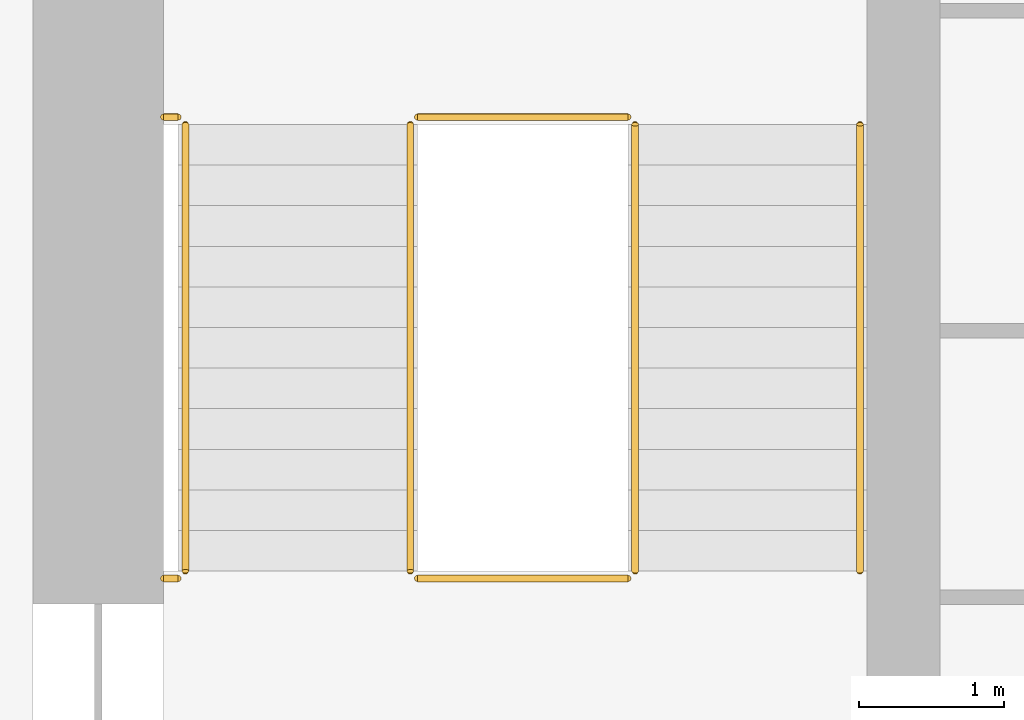
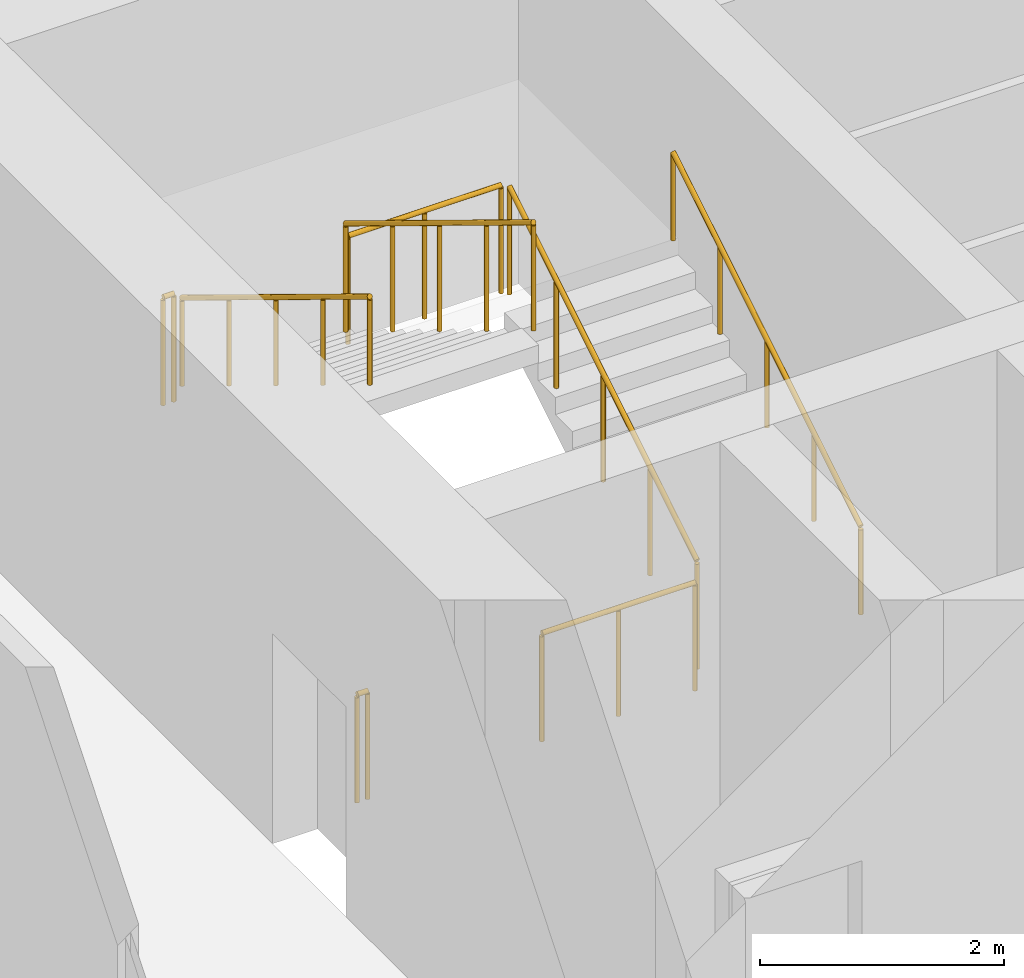
# One storey, part 13 of 16: 8 railings.
"""IFC4 building model written with IfcOpenShell, lengths in metres."""

from ifc_helpers import new_model, si_unit, direction, frame, origin, origin_2d, place, context, subcontext, project, spatial, circle, extrude, material, type_object, element, save


model = new_model("IFC4")

# Units and contexts
model_context = context("Model", 3, precision=1e-05, world=origin(), true_north=direction((0.0, 1.0)))
body_context = subcontext(model_context, "Body", "Model", "MODEL_VIEW")
ifc_project = project(units=[si_unit("LENGTHUNIT", "METRE"), si_unit("AREAUNIT", "SQUARE_METRE"), si_unit("VOLUMEUNIT", "CUBIC_METRE"), si_unit("PLANEANGLEUNIT", "RADIAN"), si_unit("MASSUNIT", "GRAM", prefix="KILO")], contexts=[model_context])

# Site, building, storey
site_placement = place(None, origin())
site = spatial("IfcSite", under=ifc_project, at=site_placement, CompositionType="ELEMENT")
building_placement = place(site_placement, origin())
building = spatial("IfcBuilding", under=site, at=building_placement, Name="Corbel Stack Research Tower", CompositionType="ELEMENT")
storey_placement = place(building_placement, frame((0.0, 0.0, 120.800048828125)))
storey = spatial("IfcBuildingStorey", under=building, at=storey_placement, Name="L27", CompositionType="ELEMENT", Elevation=120.800048828125)

# Railings
ifc_material_1 = material(Name="Steel S355", Category="steel")
railing_type_1 = type_object("IfcRailingType", Name="Stair guard 1100", PredefinedType="GUARDRAIL", material=ifc_material_1)
railing_1_placement = place(storey_placement, frame((-6.35009765625, 11.89990234375, 0.1708984375)))
element("IfcRailing", 1, at=railing_1_placement, inside=storey, type_object=railing_type_1, Name="L27 ST-W2 stair guard 1", PredefinedType="GUARDRAIL", context=body_context, shape_type="SweptSolid", body=[
    extrude(circle(Radius=0.02392578125, at=origin_2d()), frame((0.0, 0.0, 1.076171875), z_axis=(0.0, 0.853666305674, 0.52082035152), x_axis=(-1.0, 0.0, 0.0)), (0.0, 0.0, 1.0), 3.608154296875),
    extrude(circle(Radius=0.02099609375, at=origin_2d()), origin(), (0.0, 0.0, 1.0), 1.052001953125),
    extrude(circle(Radius=0.02099609375, at=origin_2d()), frame((0.0, 0.77001953125, 0.4697265625)), (0.0, 0.0, 1.0), 1.052001953125),
    extrude(circle(Radius=0.02099609375, at=origin_2d()), frame((0.0, 1.5400390625, 0.939453125)), (0.0, 0.0, 1.0), 1.052001953125),
    extrude(circle(Radius=0.02099609375, at=origin_2d()), frame((0.0, 2.31005859375, 1.409423828125)), (0.0, 0.0, 1.0), 1.052001953125),
    extrude(circle(Radius=0.02099609375, at=origin_2d()), frame((0.0, 3.080078125, 1.879150390625)), (0.0, 0.0, 1.0), 1.052001953125),
])
railing_2_placement = place(storey_placement, frame((-6.39990234375, 15.030029296875, 2.050048828125)))
element("IfcRailing", 2, at=railing_2_placement, inside=storey, type_object=railing_type_1, Name="L27 ST-W2 stair guard 2", PredefinedType="GUARDRAIL", context=body_context, shape_type="SweptSolid", body=[
    extrude(circle(Radius=0.02392578125, at=origin_2d()), frame((0.0, 0.0, 1.076171875), z_axis=(-1.0, 0.0, 0.0), x_axis=(0.0, -1.0, 0.0)), (0.0, 0.0, 1.0), 1.4501953125),
    extrude(circle(Radius=0.02099609375, at=origin_2d()), origin(), (0.0, 0.0, 1.0), 1.052001953125),
    extrude(circle(Radius=0.02099609375, at=origin_2d()), frame((-0.72509765625, 0.0, 0.0)), (0.0, 0.0, 1.0), 1.052001953125),
    extrude(circle(Radius=0.02099609375, at=origin_2d()), frame((-1.4501953125, 0.0, 0.0)), (0.0, 0.0, 1.0), 1.052001953125),
])
railing_3_placement = place(storey_placement, frame((-9.5, 15.030029296875, 2.050048828125)))
element("IfcRailing", 3, at=railing_3_placement, inside=storey, type_object=railing_type_1, Name="L27 ST-W2 stair guard 3", PredefinedType="GUARDRAIL", context=body_context, shape_type="SweptSolid", body=[
    extrude(circle(Radius=0.02392578125, at=origin_2d()), frame((0.0, 0.0, 1.076171875), z_axis=(-1.0, 0.0, 0.0), x_axis=(0.0, -1.0, 0.0)), (0.0, 0.0, 1.0), 0.10009765625),
    extrude(circle(Radius=0.02099609375, at=origin_2d()), origin(), (0.0, 0.0, 1.0), 1.052001953125),
    extrude(circle(Radius=0.02099609375, at=origin_2d()), frame((-0.10009765625, 0.0, 0.0)), (0.0, 0.0, 1.0), 1.052001953125),
])
railing_4_placement = place(storey_placement, frame((-7.89990234375, 14.97998046875, 2.220703125)))
element("IfcRailing", 4, at=railing_4_placement, inside=storey, type_object=railing_type_1, Name="L27 ST-W2 stair guard 4", PredefinedType="GUARDRAIL", context=body_context, shape_type="SweptSolid", body=[
    extrude(circle(Radius=0.02392578125, at=origin_2d()), frame((0.0, 0.0, 1.076171875), z_axis=(0.0, -0.853666305674, 0.52082035152), x_axis=(1.0, 0.0, 0.0)), (0.0, 0.0, 1.0), 3.608154296875),
    extrude(circle(Radius=0.02099609375, at=origin_2d()), origin(), (0.0, 0.0, 1.0), 1.052001953125),
    extrude(circle(Radius=0.02099609375, at=origin_2d()), frame((0.0, -0.77001953125, 0.4697265625)), (0.0, 0.0, 1.0), 1.052001953125),
    extrude(circle(Radius=0.02099609375, at=origin_2d()), frame((0.0, -1.5400390625, 0.939453125)), (0.0, 0.0, 1.0), 1.052001953125),
    extrude(circle(Radius=0.02099609375, at=origin_2d()), frame((0.0, -2.31005859375, 1.409423828125)), (0.0, 0.0, 1.0), 1.052001953125),
    extrude(circle(Radius=0.02099609375, at=origin_2d()), frame((0.0, -3.080078125, 1.879150390625)), (0.0, 0.0, 1.0), 1.052001953125),
])
railing_5_placement = place(storey_placement, frame((-6.39990234375, 11.85009765625, 0.0)))
element("IfcRailing", 5, at=railing_5_placement, inside=storey, type_object=railing_type_1, Name="L27 ST-W2 stair guard 5", PredefinedType="GUARDRAIL", context=body_context, shape_type="SweptSolid", body=[
    extrude(circle(Radius=0.02392578125, at=origin_2d()), frame((0.0, 0.0, 1.076171875), z_axis=(-1.0, 0.0, 0.0), x_axis=(0.0, -1.0, 0.0)), (0.0, 0.0, 1.0), 1.4501953125),
    extrude(circle(Radius=0.02099609375, at=origin_2d()), origin(), (0.0, 0.0, 1.0), 1.052001953125),
    extrude(circle(Radius=0.02099609375, at=origin_2d()), frame((-0.72509765625, 0.0, 0.0)), (0.0, 0.0, 1.0), 1.052001953125),
    extrude(circle(Radius=0.02099609375, at=origin_2d()), frame((-1.4501953125, 0.0, 0.0)), (0.0, 0.0, 1.0), 1.052001953125),
])
railing_6_placement = place(storey_placement, frame((-9.5, 11.85009765625, 0.0)))
element("IfcRailing", 6, at=railing_6_placement, inside=storey, type_object=railing_type_1, Name="L27 ST-W2 stair guard 6", PredefinedType="GUARDRAIL", context=body_context, shape_type="SweptSolid", body=[
    extrude(circle(Radius=0.02392578125, at=origin_2d()), frame((0.0, 0.0, 1.076171875), z_axis=(-1.0, 0.0, 0.0), x_axis=(0.0, -1.0, 0.0)), (0.0, 0.0, 1.0), 0.10009765625),
    extrude(circle(Radius=0.02099609375, at=origin_2d()), origin(), (0.0, 0.0, 1.0), 1.052001953125),
    extrude(circle(Radius=0.02099609375, at=origin_2d()), frame((-0.10009765625, 0.0, 0.0)), (0.0, 0.0, 1.0), 1.052001953125),
])
ifc_material_2 = material(Name="Steel S355", Category="steel")
railing_type_2 = type_object("IfcRailingType", Name="Stair handrail 900", PredefinedType="HANDRAIL", material=ifc_material_2)
railing_7_placement = place(storey_placement, frame((-4.800048828125, 11.89990234375, 0.1708984375)))
element("IfcRailing", 7, at=railing_7_placement, inside=storey, type_object=railing_type_2, Name="L27 ST-W2 stair handrail 1", PredefinedType="HANDRAIL", context=body_context, shape_type="SweptSolid", body=[
    extrude(circle(Radius=0.02392578125, at=origin_2d()), frame((0.0, 0.0, 0.8759765625), z_axis=(0.0, 0.853666305674, 0.52082035152), x_axis=(-1.0, 0.0, 0.0)), (0.0, 0.0, 1.0), 3.608154296875),
    extrude(circle(Radius=0.02099609375, at=origin_2d()), origin(), (0.0, 0.0, 1.0), 0.851806640625),
    extrude(circle(Radius=0.02099609375, at=origin_2d()), frame((0.0, 0.77001953125, 0.4697265625)), (0.0, 0.0, 1.0), 0.851806640625),
    extrude(circle(Radius=0.02099609375, at=origin_2d()), frame((0.0, 1.5400390625, 0.939453125)), (0.0, 0.0, 1.0), 0.851806640625),
    extrude(circle(Radius=0.02099609375, at=origin_2d()), frame((0.0, 2.31005859375, 1.409423828125)), (0.0, 0.0, 1.0), 0.851806640625),
    extrude(circle(Radius=0.02099609375, at=origin_2d()), frame((0.0, 3.080078125, 1.879150390625)), (0.0, 0.0, 1.0), 0.851806640625),
])
railing_8_placement = place(storey_placement, frame((-9.449951171875, 14.97998046875, 2.220703125)))
element("IfcRailing", 8, at=railing_8_placement, inside=storey, type_object=railing_type_2, Name="L27 ST-W2 stair handrail 2", PredefinedType="HANDRAIL", context=body_context, shape_type="SweptSolid", body=[
    extrude(circle(Radius=0.02392578125, at=origin_2d()), frame((0.0, 0.0, 0.8759765625), z_axis=(0.0, -0.853666305674, 0.52082035152), x_axis=(1.0, 0.0, 0.0)), (0.0, 0.0, 1.0), 3.608154296875),
    extrude(circle(Radius=0.02099609375, at=origin_2d()), origin(), (0.0, 0.0, 1.0), 0.851806640625),
    extrude(circle(Radius=0.02099609375, at=origin_2d()), frame((0.0, -0.77001953125, 0.4697265625)), (0.0, 0.0, 1.0), 0.851806640625),
    extrude(circle(Radius=0.02099609375, at=origin_2d()), frame((0.0, -1.5400390625, 0.939453125)), (0.0, 0.0, 1.0), 0.851806640625),
    extrude(circle(Radius=0.02099609375, at=origin_2d()), frame((0.0, -2.31005859375, 1.409423828125)), (0.0, 0.0, 1.0), 0.851806640625),
    extrude(circle(Radius=0.02099609375, at=origin_2d()), frame((0.0, -3.080078125, 1.879150390625)), (0.0, 0.0, 1.0), 0.851806640625),
])

save(model, "model.ifc")
